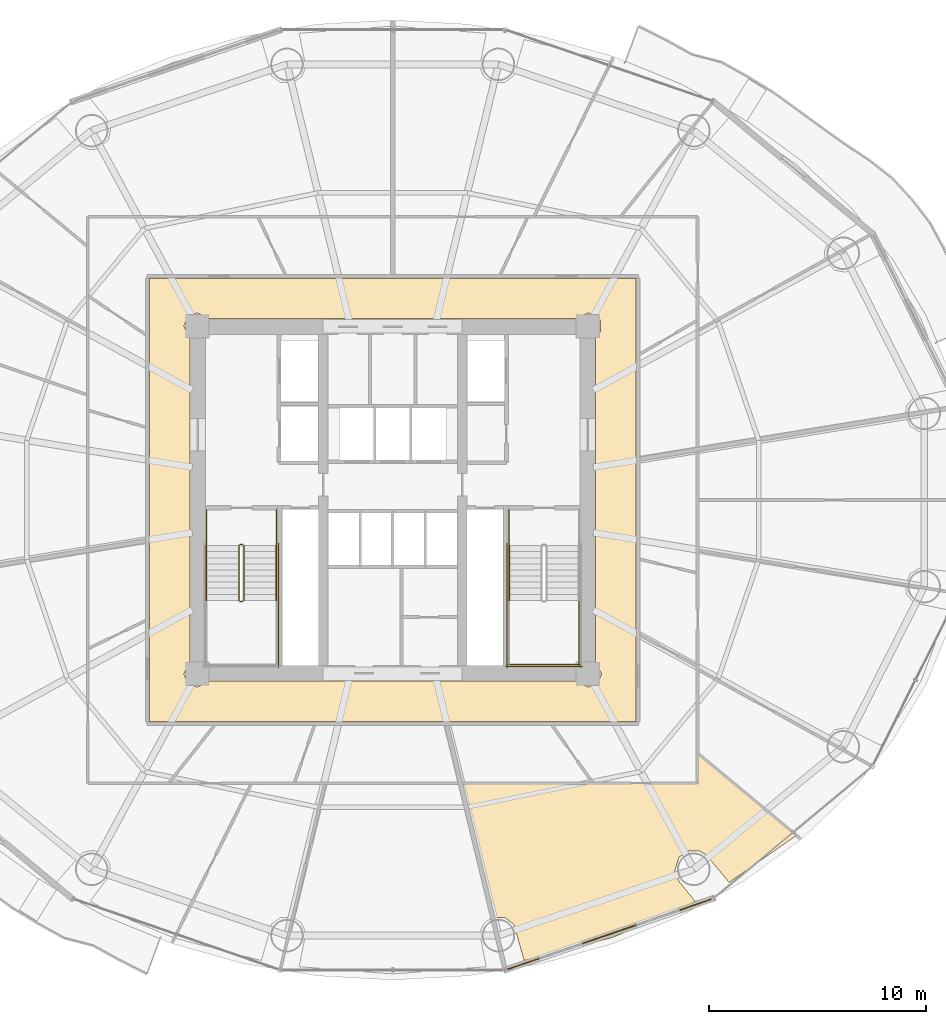
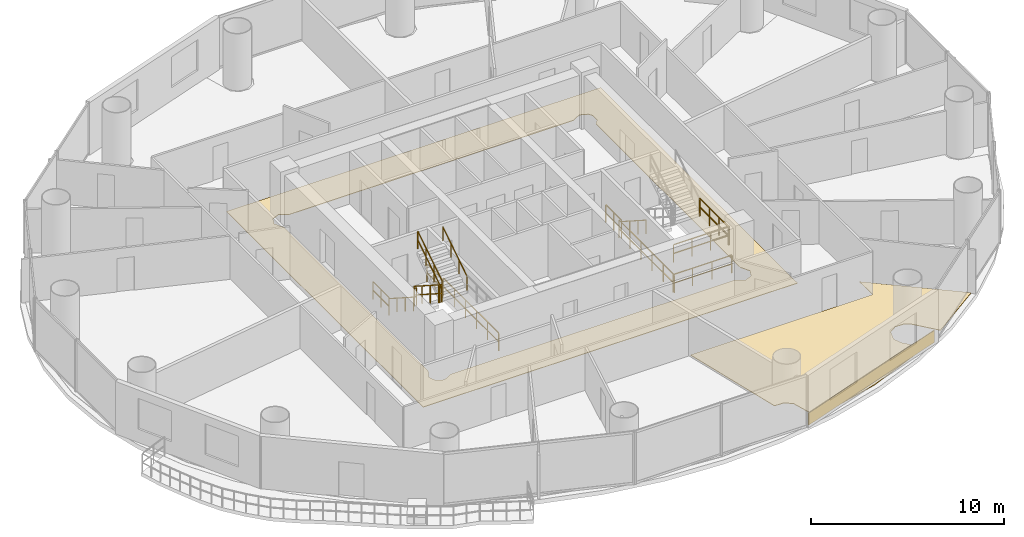
# One storey, part 27 of 29: 15 railings, 3 coverings.
"""IFC4 building model written with IfcOpenShell, lengths in metres."""

from ifc_helpers import new_model, si_unit, direction, frame, origin, origin_2d, place, context, subcontext, project, spatial, polyline, rectangle, outline, extrude, source, transform, mapped, material, layer, layer_set, type_object, element, save


model = new_model("IFC4")

# Units and contexts
model_context = context("Model", 3, precision=1e-05, world=origin(), true_north=direction((-0.2419218956, 0.970295726276)))
body_context = subcontext(model_context, "Body", "Model", "MODEL_VIEW")
ifc_project = project(units=[si_unit("LENGTHUNIT", "METRE"), si_unit("AREAUNIT", "SQUARE_METRE"), si_unit("VOLUMEUNIT", "CUBIC_METRE"), si_unit("PLANEANGLEUNIT", "RADIAN"), si_unit("MASSUNIT", "GRAM", prefix="KILO")], contexts=[model_context])

# Site, building, storey
site_placement = place(None, origin())
site = spatial("IfcSite", under=ifc_project, at=site_placement, CompositionType="ELEMENT")
building_placement = place(site_placement, origin())
building = spatial("IfcBuilding", under=site, at=building_placement, Name="Cobrevalo Terracotta Tower", CompositionType="ELEMENT")
storey_placement = place(building_placement, frame((0.0, 0.0, 79.800048828125)))
storey = spatial("IfcBuildingStorey", under=building, at=storey_placement, Name="L20", CompositionType="ELEMENT", Elevation=79.800048828125)

# Coverings
ifc_material_1 = material(Name="Engineered Brazilian hardwood flooring", Category="wood")
ifc_layer_1 = layer(ifc_material_1, 0.028076171875)
ifc_layer_set_1 = layer_set([ifc_layer_1], Name="Engineered Brazilian hardwood flooring")
covering_type_1 = type_object("IfcCoveringType", Name="Engineered Hardwood Suite Flooring 28", PredefinedType="FLOORING", material=ifc_layer_set_1)
covering_1_placement = place(storey_placement, origin())
element("IfcCovering", 1, at=covering_1_placement, inside=storey, type_object=covering_type_1, Name="Flat L20D Penthouse Living and Dining Room floor finish", PredefinedType="FLOORING", context=body_context, shape_type="SweptSolid", body=[
    extrude(outline(polyline([(53.488525390625, 9.193359375), (52.422119140625, 10.474853515625), (52.11962890625, 10.6376953125), (51.608642578125, 10.639404296875), (51.18310546875, 10.35693359375), (50.9853515625, 9.713134765625), (51.1787109375, 9.2412109375), (51.92431640625, 8.32666015625), (51.161376953125, 7.904052734375), (48.073486328125, 6.641357421875), (44.05078125, 5.59814453125), (43.578125, 7.261962890625), (43.170166015625, 7.5693359375), (42.62109375, 7.584716796875), (41.146240234375, 13.7451171875), (52.054931640625, 13.7451171875), (52.054931640625, 15.0966796875), (56.57275390625, 11.34326171875), (53.488525390625, 9.193359375)])), origin(), (0.0, 0.0, 1.0), 0.030029296875),
])
ifc_material_2 = material(Name="Honed terracotta and granite tile", Category="masonry")
ifc_layer_2 = layer(ifc_material_2, 0.034912109375)
ifc_layer_set_2 = layer_set([ifc_layer_2], Name="Honed terracotta and granite tile")
covering_type_2 = type_object("IfcCoveringType", Name="Honed Terracotta & Granite Interior Flooring 35", PredefinedType="FLOORING", material=ifc_layer_set_2)
covering_2_placement = place(storey_placement, origin())
element("IfcCovering", 2, at=covering_2_placement, inside=storey, type_object=covering_type_2, Name="L20 Residential Floor Corridor floor finish", PredefinedType="FLOORING", context=body_context, shape_type="SweptSolid", body=[
    extrude(outline(polyline([(49.205078125, 37.0048828125), (49.205078125, 16.594970703125), (26.794921875, 16.594970703125), (26.794921875, 37.0048828125), (49.205078125, 37.0048828125)]), holes=[polyline([(47.344970703125, 34.298828125), (47.5732421875, 34.5625), (47.5732421875, 35.037353515625), (47.438720703125, 35.23876953125), (47.0, 35.42041015625), (46.498779296875, 35.14501953125), (29.501220703125, 35.14501953125), (29.0, 35.42041015625), (28.561279296875, 35.23876953125), (28.379638671875, 34.800048828125), (28.655029296875, 34.298828125), (28.655029296875, 19.30126953125), (28.379638671875, 18.800048828125), (28.561279296875, 18.361328125), (29.0, 18.1796875), (29.501220703125, 18.455078125), (46.498779296875, 18.455078125), (47.0, 18.1796875), (47.438720703125, 18.361328125), (47.620361328125, 18.800048828125), (47.344970703125, 19.30126953125), (47.344970703125, 34.298828125)])]), origin(), (0.0, 0.0, 1.0), 0.030029296875),
])

# Railings
ifc_material_3 = material(Name="Brushed stainless steel", Category="steel")
railing_type_1 = type_object("IfcRailingType", Name="Stainless Steel Stair Handrail 900", PredefinedType="HANDRAIL", material=ifc_material_3)
railing_1_placement = place(storey_placement, frame((29.425048828125, 24.699951171875, 0.179931640625)))
element("IfcRailing", 3, at=railing_1_placement, inside=storey, type_object=railing_type_1, Name="L20 ST-1 stair handrail 1", PredefinedType="HANDRAIL", context=body_context, shape_type="SweptSolid", body=[
    extrude(rectangle(XDim=0.048095703125, YDim=0.048095703125, at=origin_2d()), frame((0.0, 0.0, 0.8759765625), z_axis=(0.0, -0.841162588446, 0.540782303519), x_axis=(1.0, 0.0, 0.0)), (0.0, 0.0, 1.0), 2.995849609375),
    extrude(rectangle(XDim=0.0419921875, YDim=0.0419921875, at=origin_2d()), origin(), (0.0, 0.0, 1.0), 0.851806640625),
    extrude(rectangle(XDim=0.0419921875, YDim=0.0419921875, at=origin_2d()), frame((0.0, -0.840087890625, 0.5400390625)), (0.0, 0.0, 1.0), 0.851806640625),
    extrude(rectangle(XDim=0.0419921875, YDim=0.0419921875, at=origin_2d()), frame((0.0, -1.679931640625, 1.080078125)), (0.0, 0.0, 1.0), 0.851806640625),
    extrude(rectangle(XDim=0.0419921875, YDim=0.0419921875, at=origin_2d()), frame((0.0, -2.52001953125, 1.6201171875)), (0.0, 0.0, 1.0), 0.851806640625),
])
railing_2_placement = place(storey_placement, frame((32.64501953125, 22.179931640625, 1.97998046875)))
element("IfcRailing", 4, at=railing_2_placement, inside=storey, type_object=railing_type_1, Name="L20 ST-1 stair handrail 2", PredefinedType="HANDRAIL", context=body_context, shape_type="SweptSolid", body=[
    extrude(rectangle(XDim=0.048095703125, YDim=0.048095703125, at=origin_2d()), frame((0.0, 0.0, 0.8759765625), z_axis=(0.0, 0.841199657755, 0.540724639528), x_axis=(-1.0, 0.0, 0.0)), (0.0, 0.0, 1.0), 2.995849609375),
    extrude(rectangle(XDim=0.0419921875, YDim=0.0419921875, at=origin_2d()), origin(), (0.0, 0.0, 1.0), 0.851806640625),
    extrude(rectangle(XDim=0.0419921875, YDim=0.0419921875, at=origin_2d()), frame((0.0, 0.840087890625, 0.5400390625)), (0.0, 0.0, 1.0), 0.851806640625),
    extrude(rectangle(XDim=0.0419921875, YDim=0.0419921875, at=origin_2d()), frame((0.0, 1.679931640625, 1.079833984375)), (0.0, 0.0, 1.0), 0.851806640625),
    extrude(rectangle(XDim=0.0419921875, YDim=0.0419921875, at=origin_2d()), frame((0.0, 2.52001953125, 1.619873046875)), (0.0, 0.0, 1.0), 0.851806640625),
])
railing_3_placement = place(storey_placement, frame((43.35498046875, 24.699951171875, 0.179931640625)))
element("IfcRailing", 5, at=railing_3_placement, inside=storey, type_object=railing_type_1, Name="L20 ST-2 stair handrail 1", PredefinedType="HANDRAIL", context=body_context, shape_type="SweptSolid", body=[
    extrude(rectangle(XDim=0.048095703125, YDim=0.048095703125, at=origin_2d()), frame((0.0, 0.0, 0.8759765625), z_axis=(0.0, -0.841162588446, 0.540782303519), x_axis=(1.0, 0.0, 0.0)), (0.0, 0.0, 1.0), 2.995849609375),
    extrude(rectangle(XDim=0.0419921875, YDim=0.0419921875, at=origin_2d()), origin(), (0.0, 0.0, 1.0), 0.851806640625),
    extrude(rectangle(XDim=0.0419921875, YDim=0.0419921875, at=origin_2d()), frame((0.0, -0.840087890625, 0.5400390625)), (0.0, 0.0, 1.0), 0.851806640625),
    extrude(rectangle(XDim=0.0419921875, YDim=0.0419921875, at=origin_2d()), frame((0.0, -1.679931640625, 1.080078125)), (0.0, 0.0, 1.0), 0.851806640625),
    extrude(rectangle(XDim=0.0419921875, YDim=0.0419921875, at=origin_2d()), frame((0.0, -2.52001953125, 1.6201171875)), (0.0, 0.0, 1.0), 0.851806640625),
])
ifc_material_4 = material(Name="Painted galvanized steel", Category="steel")
railing_type_2 = type_object("IfcRailingType", Name="Stair Well Guard Balustrade 1150", PredefinedType="GUARDRAIL", material=ifc_material_4)
railing_4_placement = place(storey_placement, frame((30.925048828125, 24.699951171875, 0.179931640625)))
element("IfcRailing", 6, at=railing_4_placement, inside=storey, type_object=railing_type_2, Name="L20 ST-1 stair guard 1", PredefinedType="GUARDRAIL", context=body_context, shape_type="SweptSolid", body=[
    extrude(rectangle(XDim=0.048095703125, YDim=0.048095703125, at=origin_2d()), frame((0.0, 0.0, 1.1259765625), z_axis=(0.0, -0.841162588446, 0.540782303519), x_axis=(1.0, 0.0, 0.0)), (0.0, 0.0, 1.0), 2.995849609375),
    extrude(rectangle(XDim=0.048095703125, YDim=0.048095703125, at=origin_2d()), frame((0.0, 0.0, 0.574951171875), z_axis=(0.0, -0.841162588446, 0.540782303519), x_axis=(1.0, 0.0, 0.0)), (0.0, 0.0, 1.0), 2.995849609375),
    extrude(rectangle(XDim=0.0419921875, YDim=0.0419921875, at=origin_2d()), origin(), (0.0, 0.0, 1.0), 1.101806640625),
    extrude(rectangle(XDim=0.0419921875, YDim=0.0419921875, at=origin_2d()), frame((0.0, -0.840087890625, 0.5400390625)), (0.0, 0.0, 1.0), 1.101806640625),
    extrude(rectangle(XDim=0.0419921875, YDim=0.0419921875, at=origin_2d()), frame((0.0, -1.679931640625, 1.080078125)), (0.0, 0.0, 1.0), 1.101806640625),
    extrude(rectangle(XDim=0.0419921875, YDim=0.0419921875, at=origin_2d()), frame((0.0, -2.52001953125, 1.6201171875)), (0.0, 0.0, 1.0), 1.101806640625),
])
railing_5_placement = place(storey_placement, frame((30.97509765625, 22.1298828125, 1.800048828125)))
element("IfcRailing", 7, at=railing_5_placement, inside=storey, type_object=railing_type_2, Name="L20 ST-1 stair guard 2", PredefinedType="GUARDRAIL", context=body_context, shape_type="SweptSolid", body=[
    extrude(rectangle(XDim=0.048095703125, YDim=0.048095703125, at=origin_2d()), frame((0.0, 0.0, 1.1259765625), z_axis=(1.0, 0.0, 0.0), x_axis=(0.0, 1.0, 0.0)), (0.0, 0.0, 1.0), 0.119873046875),
    extrude(rectangle(XDim=0.048095703125, YDim=0.048095703125, at=origin_2d()), frame((0.0, 0.0, 0.574951171875), z_axis=(1.0, 0.0, 0.0), x_axis=(0.0, 1.0, 0.0)), (0.0, 0.0, 1.0), 0.119873046875),
    extrude(rectangle(XDim=0.0419921875, YDim=0.0419921875, at=origin_2d()), origin(), (0.0, 0.0, 1.0), 1.101806640625),
    extrude(rectangle(XDim=0.0419921875, YDim=0.0419921875, at=origin_2d()), frame((0.119873046875, 0.0, 0.0)), (0.0, 0.0, 1.0), 1.101806640625),
])
railing_6_placement = place(storey_placement, frame((31.14501953125, 22.179931640625, 1.97998046875)))
element("IfcRailing", 8, at=railing_6_placement, inside=storey, type_object=railing_type_2, Name="L20 ST-1 stair guard 6", PredefinedType="GUARDRAIL", context=body_context, shape_type="SweptSolid", body=[
    extrude(rectangle(XDim=0.048095703125, YDim=0.048095703125, at=origin_2d()), frame((0.0, 0.0, 1.1259765625), z_axis=(0.0, 0.841199657755, 0.540724639528), x_axis=(-1.0, 0.0, 0.0)), (0.0, 0.0, 1.0), 2.995849609375),
    extrude(rectangle(XDim=0.048095703125, YDim=0.048095703125, at=origin_2d()), frame((0.0, 0.0, 0.574951171875), z_axis=(0.0, 0.841199657755, 0.540724639528), x_axis=(-1.0, 0.0, 0.0)), (0.0, 0.0, 1.0), 2.995849609375),
    extrude(rectangle(XDim=0.0419921875, YDim=0.0419921875, at=origin_2d()), origin(), (0.0, 0.0, 1.0), 1.101806640625),
    extrude(rectangle(XDim=0.0419921875, YDim=0.0419921875, at=origin_2d()), frame((0.0, 0.840087890625, 0.5400390625)), (0.0, 0.0, 1.0), 1.101806640625),
    extrude(rectangle(XDim=0.0419921875, YDim=0.0419921875, at=origin_2d()), frame((0.0, 1.679931640625, 1.079833984375)), (0.0, 0.0, 1.0), 1.101806640625),
    extrude(rectangle(XDim=0.0419921875, YDim=0.0419921875, at=origin_2d()), frame((0.0, 2.52001953125, 1.619873046875)), (0.0, 0.0, 1.0), 1.101806640625),
])
railing_7_placement = place(storey_placement, frame((30.97509765625, 24.75, 0.0)))
element("IfcRailing", 9, at=railing_7_placement, inside=storey, type_object=railing_type_2, Name="L20 ST-1 stair guard 7", PredefinedType="GUARDRAIL", context=body_context, shape_type="SweptSolid", body=[
    extrude(rectangle(XDim=0.048095703125, YDim=0.048095703125, at=origin_2d()), frame((0.0, 0.0, 1.1259765625), z_axis=(1.0, 0.0, 0.0), x_axis=(0.0, 1.0, 0.0)), (0.0, 0.0, 1.0), 0.119873046875),
    extrude(rectangle(XDim=0.048095703125, YDim=0.048095703125, at=origin_2d()), frame((0.0, 0.0, 0.574951171875), z_axis=(1.0, 0.0, 0.0), x_axis=(0.0, 1.0, 0.0)), (0.0, 0.0, 1.0), 0.119873046875),
    extrude(rectangle(XDim=0.0419921875, YDim=0.0419921875, at=origin_2d()), origin(), (0.0, 0.0, 1.0), 1.101806640625),
    extrude(rectangle(XDim=0.0419921875, YDim=0.0419921875, at=origin_2d()), frame((0.119873046875, 0.0, 0.0)), (0.0, 0.0, 1.0), 1.101806640625),
])
for number, where, name in (
    (10, (29.425048828125, 26.35009765625, 0.0), "L20 ST-1 stair guard 8"),
    (11, (32.64501953125, 26.35009765625, 0.0), "L20 ST-1 stair guard 9"),
):
    element("IfcRailing", number, at=place(storey_placement, frame(where)), inside=storey, type_object=railing_type_2, Name=name, PredefinedType="GUARDRAIL", context=body_context, shape_type="SweptSolid", body=[
        extrude(rectangle(XDim=0.048095703125, YDim=0.048095703125, at=origin_2d()), frame((0.0, 0.0, 1.1259765625), z_axis=(0.0, -1.0, 0.0), x_axis=(1.0, 0.0, 0.0)), (0.0, 0.0, 1.0), 1.650146484375),
        extrude(rectangle(XDim=0.048095703125, YDim=0.048095703125, at=origin_2d()), frame((0.0, 0.0, 0.574951171875), z_axis=(0.0, -1.0, 0.0), x_axis=(1.0, 0.0, 0.0)), (0.0, 0.0, 1.0), 1.650146484375),
        extrude(rectangle(XDim=0.0419921875, YDim=0.0419921875, at=origin_2d()), origin(), (0.0, 0.0, 1.0), 1.101806640625),
        extrude(rectangle(XDim=0.0419921875, YDim=0.0419921875, at=origin_2d()), frame((0.0, -0.8251953125, 0.0)), (0.0, 0.0, 1.0), 1.101806640625),
        extrude(rectangle(XDim=0.0419921875, YDim=0.0419921875, at=origin_2d()), frame((0.0, -1.650146484375, 0.0)), (0.0, 0.0, 1.0), 1.101806640625),
    ])
railing_8_placement = place(storey_placement, frame((32.7451171875, 24.800048828125, 0.0)))
element("IfcRailing", 12, at=railing_8_placement, inside=storey, type_object=railing_type_2, Name="L20 ST-1 stair guard 11", PredefinedType="GUARDRAIL", context=body_context, shape_type="SweptSolid", body=[
    extrude(rectangle(XDim=0.048095703125, YDim=0.048095703125, at=origin_2d()), frame((0.0, 0.0, 1.1259765625), z_axis=(0.0, -1.0, 0.0), x_axis=(1.0, 0.0, 0.0)), (0.0, 0.0, 1.0), 5.72509765625),
    extrude(rectangle(XDim=0.048095703125, YDim=0.048095703125, at=origin_2d()), frame((0.0, 0.0, 0.574951171875), z_axis=(0.0, -1.0, 0.0), x_axis=(1.0, 0.0, 0.0)), (0.0, 0.0, 1.0), 5.72509765625),
    extrude(rectangle(XDim=0.0419921875, YDim=0.0419921875, at=origin_2d()), origin(), (0.0, 0.0, 1.0), 1.101806640625),
    extrude(rectangle(XDim=0.0419921875, YDim=0.0419921875, at=origin_2d()), frame((0.0, -1.14501953125, 0.0)), (0.0, 0.0, 1.0), 1.101806640625),
    extrude(rectangle(XDim=0.0419921875, YDim=0.0419921875, at=origin_2d()), frame((0.0, -2.2900390625, 0.0)), (0.0, 0.0, 1.0), 1.101806640625),
    extrude(rectangle(XDim=0.0419921875, YDim=0.0419921875, at=origin_2d()), frame((0.0, -3.43505859375, 0.0)), (0.0, 0.0, 1.0), 1.101806640625),
    extrude(rectangle(XDim=0.0419921875, YDim=0.0419921875, at=origin_2d()), frame((0.0, -4.580078125, 0.0)), (0.0, 0.0, 1.0), 1.101806640625),
    extrude(rectangle(XDim=0.0419921875, YDim=0.0419921875, at=origin_2d()), frame((0.0, -5.72509765625, 0.0)), (0.0, 0.0, 1.0), 1.101806640625),
])
railing_9_placement = place(storey_placement, frame((46.574951171875, 22.179931640625, 1.800048828125)))
element("IfcRailing", 13, at=railing_9_placement, inside=storey, type_object=railing_type_2, Name="L20 ST-2 stair guard 4", PredefinedType="GUARDRAIL", context=body_context, shape_type="SweptSolid", body=[
    extrude(rectangle(XDim=0.048095703125, YDim=0.048095703125, at=origin_2d()), frame((0.0, 0.0, 1.1259765625), z_axis=(0.0, -1.0, 0.0), x_axis=(1.0, 0.0, 0.0)), (0.0, 0.0, 1.0), 3.0048828125),
    extrude(rectangle(XDim=0.048095703125, YDim=0.048095703125, at=origin_2d()), frame((0.0, 0.0, 0.574951171875), z_axis=(0.0, -1.0, 0.0), x_axis=(1.0, 0.0, 0.0)), (0.0, 0.0, 1.0), 3.0048828125),
    extrude(rectangle(XDim=0.0419921875, YDim=0.0419921875, at=origin_2d()), origin(), (0.0, 0.0, 1.0), 1.101806640625),
    extrude(rectangle(XDim=0.0419921875, YDim=0.0419921875, at=origin_2d()), frame((0.0, -1.001708984375, 0.0)), (0.0, 0.0, 1.0), 1.101806640625),
    extrude(rectangle(XDim=0.0419921875, YDim=0.0419921875, at=origin_2d()), frame((0.0, -2.003173828125, 0.0)), (0.0, 0.0, 1.0), 1.101806640625),
    extrude(rectangle(XDim=0.0419921875, YDim=0.0419921875, at=origin_2d()), frame((0.0, -3.0048828125, 0.0)), (0.0, 0.0, 1.0), 1.101806640625),
])
railing_10_placement = place(storey_placement, frame((43.304931640625, 19.22509765625, 1.800048828125)))
element("IfcRailing", 14, at=railing_10_placement, inside=storey, type_object=railing_type_2, Name="L20 ST-2 stair guard 5", PredefinedType="GUARDRAIL", context=body_context, shape_type="SweptSolid", body=[
    extrude(rectangle(XDim=0.048095703125, YDim=0.048095703125, at=origin_2d()), frame((0.0, 0.0, 1.1259765625), z_axis=(1.0, 0.0, 0.0), x_axis=(0.0, 1.0, 0.0)), (0.0, 0.0, 1.0), 3.320068359375),
    extrude(rectangle(XDim=0.048095703125, YDim=0.048095703125, at=origin_2d()), frame((0.0, 0.0, 0.574951171875), z_axis=(1.0, 0.0, 0.0), x_axis=(0.0, 1.0, 0.0)), (0.0, 0.0, 1.0), 3.320068359375),
    extrude(rectangle(XDim=0.0419921875, YDim=0.0419921875, at=origin_2d()), origin(), (0.0, 0.0, 1.0), 1.101806640625),
    extrude(rectangle(XDim=0.0419921875, YDim=0.0419921875, at=origin_2d()), frame((1.106689453125, 0.0, 0.0)), (0.0, 0.0, 1.0), 1.101806640625),
    extrude(rectangle(XDim=0.0419921875, YDim=0.0419921875, at=origin_2d()), frame((2.21337890625, 0.0, 0.0)), (0.0, 0.0, 1.0), 1.101806640625),
    extrude(rectangle(XDim=0.0419921875, YDim=0.0419921875, at=origin_2d()), frame((3.320068359375, 0.0, 0.0)), (0.0, 0.0, 1.0), 1.101806640625),
])
railing_11_placement = place(storey_placement, frame((43.35498046875, 26.35009765625, 0.0)))
element("IfcRailing", 15, at=railing_11_placement, inside=storey, type_object=railing_type_2, Name="L20 ST-2 stair guard 8", PredefinedType="GUARDRAIL", context=body_context, shape_type="SweptSolid", body=[
    extrude(rectangle(XDim=0.048095703125, YDim=0.048095703125, at=origin_2d()), frame((0.0, 0.0, 1.1259765625), z_axis=(0.0, -1.0, 0.0), x_axis=(1.0, 0.0, 0.0)), (0.0, 0.0, 1.0), 1.650146484375),
    extrude(rectangle(XDim=0.048095703125, YDim=0.048095703125, at=origin_2d()), frame((0.0, 0.0, 0.574951171875), z_axis=(0.0, -1.0, 0.0), x_axis=(1.0, 0.0, 0.0)), (0.0, 0.0, 1.0), 1.650146484375),
    extrude(rectangle(XDim=0.0419921875, YDim=0.0419921875, at=origin_2d()), origin(), (0.0, 0.0, 1.0), 1.101806640625),
    extrude(rectangle(XDim=0.0419921875, YDim=0.0419921875, at=origin_2d()), frame((0.0, -0.8251953125, 0.0)), (0.0, 0.0, 1.0), 1.101806640625),
    extrude(rectangle(XDim=0.0419921875, YDim=0.0419921875, at=origin_2d()), frame((0.0, -1.650146484375, 0.0)), (0.0, 0.0, 1.0), 1.101806640625),
])
railing_12_placement = place(storey_placement, frame((43.2548828125, 24.800048828125, 0.0)))
element("IfcRailing", 16, at=railing_12_placement, inside=storey, type_object=railing_type_2, Name="L20 ST-2 stair guard 10", PredefinedType="GUARDRAIL", context=body_context, shape_type="SweptSolid", body=[
    extrude(rectangle(XDim=0.048095703125, YDim=0.048095703125, at=origin_2d()), frame((0.0, 0.0, 1.1259765625), z_axis=(0.0, -1.0, 0.0), x_axis=(1.0, 0.0, 0.0)), (0.0, 0.0, 1.0), 5.72509765625),
    extrude(rectangle(XDim=0.048095703125, YDim=0.048095703125, at=origin_2d()), frame((0.0, 0.0, 0.574951171875), z_axis=(0.0, -1.0, 0.0), x_axis=(1.0, 0.0, 0.0)), (0.0, 0.0, 1.0), 5.72509765625),
    extrude(rectangle(XDim=0.0419921875, YDim=0.0419921875, at=origin_2d()), origin(), (0.0, 0.0, 1.0), 1.101806640625),
    extrude(rectangle(XDim=0.0419921875, YDim=0.0419921875, at=origin_2d()), frame((0.0, -1.14501953125, 0.0)), (0.0, 0.0, 1.0), 1.101806640625),
    extrude(rectangle(XDim=0.0419921875, YDim=0.0419921875, at=origin_2d()), frame((0.0, -2.2900390625, 0.0)), (0.0, 0.0, 1.0), 1.101806640625),
    extrude(rectangle(XDim=0.0419921875, YDim=0.0419921875, at=origin_2d()), frame((0.0, -3.43505859375, 0.0)), (0.0, 0.0, 1.0), 1.101806640625),
    extrude(rectangle(XDim=0.0419921875, YDim=0.0419921875, at=origin_2d()), frame((0.0, -4.580078125, 0.0)), (0.0, 0.0, 1.0), 1.101806640625),
    extrude(rectangle(XDim=0.0419921875, YDim=0.0419921875, at=origin_2d()), frame((0.0, -5.72509765625, 0.0)), (0.0, 0.0, 1.0), 1.101806640625),
])
railing_13_placement = place(storey_placement, frame((43.205078125, 19.125, 0.0)))
element("IfcRailing", 17, at=railing_13_placement, inside=storey, type_object=railing_type_2, Name="L20 ST-2 stair guard 12", PredefinedType="GUARDRAIL", context=body_context, shape_type="SweptSolid", body=[
    extrude(rectangle(XDim=0.048095703125, YDim=0.048095703125, at=origin_2d()), frame((0.0, 0.0, 1.1259765625), z_axis=(1.0, 0.0, 0.0), x_axis=(0.0, 1.0, 0.0)), (0.0, 0.0, 1.0), 3.52001953125),
    extrude(rectangle(XDim=0.048095703125, YDim=0.048095703125, at=origin_2d()), frame((0.0, 0.0, 0.574951171875), z_axis=(1.0, 0.0, 0.0), x_axis=(0.0, 1.0, 0.0)), (0.0, 0.0, 1.0), 3.52001953125),
    extrude(rectangle(XDim=0.0419921875, YDim=0.0419921875, at=origin_2d()), origin(), (0.0, 0.0, 1.0), 1.101806640625),
    extrude(rectangle(XDim=0.0419921875, YDim=0.0419921875, at=origin_2d()), frame((1.17333984375, 0.0, 0.0)), (0.0, 0.0, 1.0), 1.101806640625),
    extrude(rectangle(XDim=0.0419921875, YDim=0.0419921875, at=origin_2d()), frame((2.3466796875, 0.0, 0.0)), (0.0, 0.0, 1.0), 1.101806640625),
    extrude(rectangle(XDim=0.0419921875, YDim=0.0419921875, at=origin_2d()), frame((3.52001953125, 0.0, 0.0)), (0.0, 0.0, 1.0), 1.101806640625),
])

# Covering
ifc_material_5 = material(Name="Glazed terracotta facade cladding tile", Category="masonry")
ifc_layer_3 = layer(ifc_material_5, 0.044921875)
ifc_layer_set_3 = layer_set([ifc_layer_3], Name="Glazed terracotta facade cladding tile")
covering_type_3 = type_object("IfcCoveringType", Name="Architectural terracotta rainscreen spandrel cladding 45 mm", PredefinedType="CLADDING", material=ifc_layer_set_3)
shared_shape = source(origin(), body_context, "Body", "SweptSolid", [
    extrude(rectangle(XDim=9.928955078125, YDim=0.044921875, at=origin_2d()), origin(), (0.0, 0.0, 1.0), 0.760009765625),
])
covering_3_placement = place(storey_placement, frame((47.972412109375, 6.8017578125, 0.0400390625), z_axis=(0.0, 0.0, 1.0), x_axis=(0.945596395206, 0.325342062104, 0.0)))
element("IfcCovering", 18, at=covering_3_placement, inside=storey, type_object=covering_type_3, Name="L20 terracotta spandrel cladding S13", PredefinedType="CLADDING", context=body_context, shape_type="MappedRepresentation", body=[
    mapped(shared_shape, transform((0.0, 0.0, 0.0), scale=1.0)),
])

save(model, "model.ifc")
